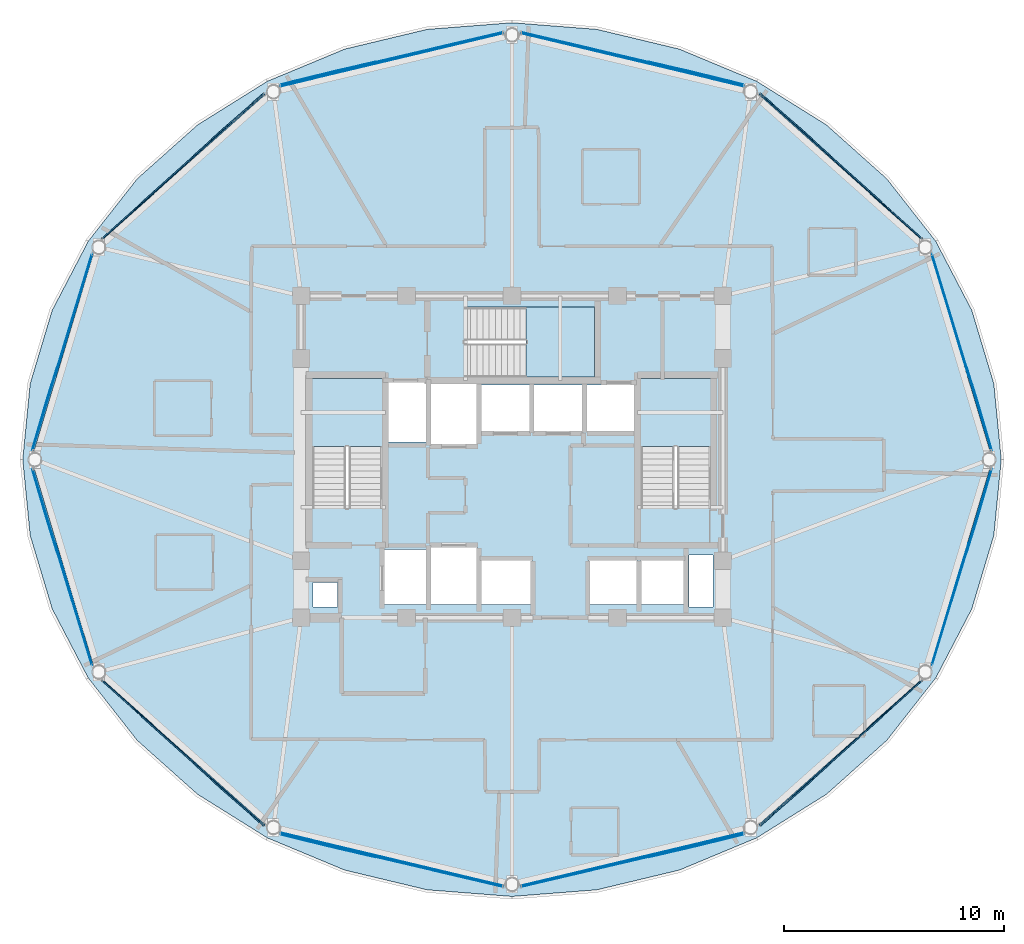
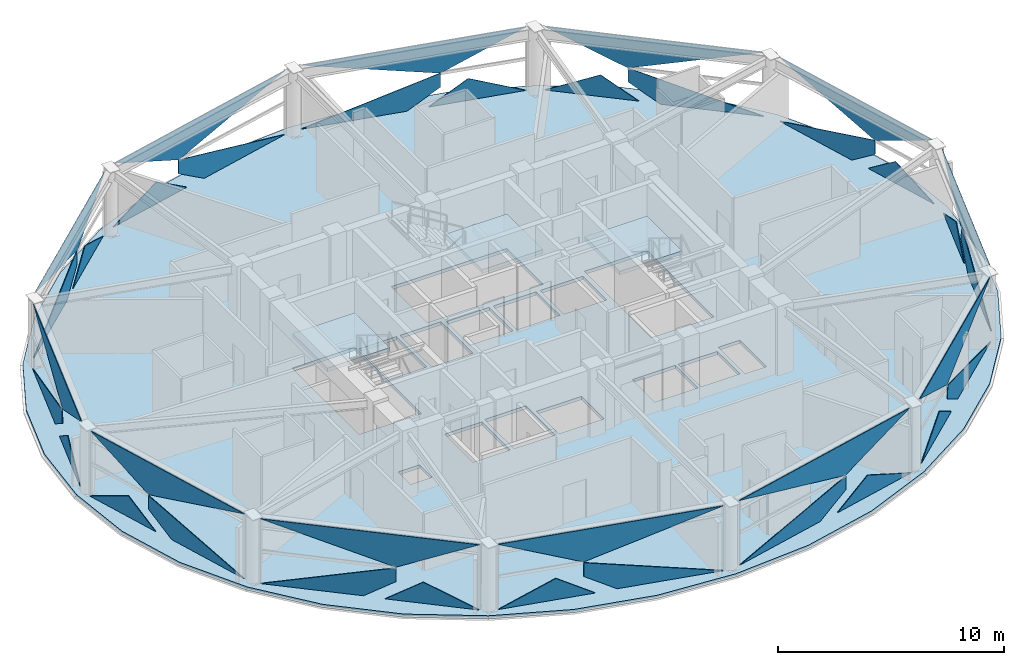
# One storey, part 20 of 28: 36 plates, 4 slabs, 15 elements without a shape of their own.
"""IFC4 building model written with IfcOpenShell, lengths in metres."""

import ifcopenshell
import ifcopenshell.guid

model = None  # the IFC model being written
_history = None  # IfcOwnerHistory: only IFC2X3 demands one
_inside = {}  # id of a spatial element -> (the spatial element, [elements in it])
_under = {}  # id of a project, library or spatial element -> (it, [spatial elements below it])
_declared = {}  # id of a project -> (the project, [libraries it declares])
_typed = {}  # id of a type object -> (the type object, [elements of that type])
_made_of = {}  # id of a material, layer set ... -> (it, [elements and type objects made of it])


def new_model(schema):
    """Start an empty IFC model of exactly this schema.

    Asked for "IFC4X3", IfcOpenShell would pick the latest addendum, in which some entities
    have other attributes; the version numbers below select the first issue.
    IFC2X3 requires an IfcOwnerHistory on every rooted entity: one is made here for all.
    """
    global model, _history
    if schema == "IFC4X3":
        model = ifcopenshell.file(schema_version=(4, 3, 0, 0))
    else:
        model = ifcopenshell.file(schema=schema)
    _inside.clear()
    _under.clear()
    _declared.clear()
    _typed.clear()
    _made_of.clear()
    _history = None
    if model.schema == "IFC2X3":
        org = make("IfcOrganization", Name="unknown")
        user = make(
            "IfcPersonAndOrganization",
            ThePerson=make("IfcPerson", FamilyName="unknown"),
            TheOrganization=org,
        )
        app = make(
            "IfcApplication",
            ApplicationDeveloper=org,
            Version="unknown",
            ApplicationFullName="unknown",
            ApplicationIdentifier="unknown",
        )
        _history = make(
            "IfcOwnerHistory",
            OwningUser=user,
            OwningApplication=app,
            ChangeAction="ADDED",
            CreationDate=0,
        )
    return model


def make(cls, **values):
    """One entity of the class cls with the attributes given. An attribute that is None is left unset."""
    return model.create_entity(
        cls, **{name: value for name, value in values.items() if value is not None}
    )


def rooted(cls, **values):
    """An entity with a GlobalId (a new one), such as an element, a storey or a relation."""
    return make(cls, GlobalId=ifcopenshell.guid.new(), OwnerHistory=_history, **values)


def si_unit(unit_type, name, prefix=None):
    """IfcSIUnit, for example si_unit("LENGTHUNIT", "METRE", prefix="MILLI")."""
    return make("IfcSIUnit", UnitType=unit_type, Prefix=prefix, Name=name)


def assignment(units):
    """IfcUnitAssignment: the units of a project."""
    return None if units is None else make("IfcUnitAssignment", Units=units)


def point(xyz):
    """IfcCartesianPoint."""
    return None if xyz is None else make("IfcCartesianPoint", Coordinates=xyz)


def direction(xyz):
    """IfcDirection."""
    return None if xyz is None else make("IfcDirection", DirectionRatios=xyz)


def frame(location, z_axis=None, x_axis=None):
    """IfcAxis2Placement3D, a coordinate frame: its origin and axes. An axis left out is left unset."""
    return make(
        "IfcAxis2Placement3D",
        Location=point(location),
        Axis=direction(z_axis),
        RefDirection=direction(x_axis),
    )


def origin():
    """The frame at (0, 0, 0) with its axes left unset."""
    return frame((0.0, 0.0, 0.0))


def place(relative_to, where):
    """IfcLocalPlacement: puts the frame where relative to a parent placement (None: the world)."""
    return make(
        "IfcLocalPlacement", PlacementRelTo=relative_to, RelativePlacement=where
    )


def context(
    kind, dimensions, precision=None, world=None, true_north=None, identifier=None
):
    """IfcGeometricRepresentationContext, for example the 3D "Model" context."""
    return make(
        "IfcGeometricRepresentationContext",
        ContextIdentifier=identifier,
        ContextType=kind,
        CoordinateSpaceDimension=dimensions,
        Precision=precision,
        WorldCoordinateSystem=world,
        TrueNorth=true_north,
    )


def subcontext(parent, identifier, kind, view, scale=None):
    """IfcGeometricRepresentationSubContext, for example "Body" below "Model"."""
    return make(
        "IfcGeometricRepresentationSubContext",
        ContextIdentifier=identifier,
        ContextType=kind,
        ParentContext=parent,
        TargetScale=scale,
        TargetView=view,
    )


def project(units=None, contexts=None):
    """IfcProject with its units and contexts."""
    return rooted(
        "IfcProject",
        Name="project",
        RepresentationContexts=contexts,
        UnitsInContext=assignment(units),
    )


def spatial(cls, under=None, at=None, **own):
    """A site, building, storey or space (cls), placed at a placement, below another one or the project."""
    s = rooted(cls, ObjectPlacement=at, **own)
    if under is not None:
        _under.setdefault(under.id(), (under, []))[1].append(s)
    return s


def polyline(points):
    """IfcPolyline through the points."""
    return make("IfcPolyline", Points=[point(p) for p in points])


def outline(outer, holes=None, kind="AREA"):
    """IfcArbitraryClosedProfileDef: a profile drawn as a closed curve; with holes, ...WithVoids."""
    if holes is None:
        return make("IfcArbitraryClosedProfileDef", ProfileType=kind, OuterCurve=outer)
    return make(
        "IfcArbitraryProfileDefWithVoids",
        ProfileType=kind,
        OuterCurve=outer,
        InnerCurves=holes,
    )


def extrude(swept, where, along, depth):
    """IfcExtrudedAreaSolid: the profile swept, set in the frame where, extruded along a direction by depth."""
    return make(
        "IfcExtrudedAreaSolid",
        SweptArea=swept,
        Position=where,
        ExtrudedDirection=direction(along),
        Depth=depth,
    )


def shape(context_of_items, identifier, shape_type, items):
    """IfcShapeRepresentation: the items that make up one representation, for example the "Body"."""
    return make(
        "IfcShapeRepresentation",
        ContextOfItems=context_of_items,
        RepresentationIdentifier=identifier,
        RepresentationType=shape_type,
        Items=items,
    )


def material(Name=None, Category=None):
    """IfcMaterial."""
    return make("IfcMaterial", Name=Name, Category=Category)


def layer(
    of_material, thickness, ventilated=None, Name=None, Category=None, Priority=None
):
    """IfcMaterialLayer: one layer of a wall or slab, of a material (None: an air gap)."""
    return make(
        "IfcMaterialLayer",
        Material=of_material,
        LayerThickness=thickness,
        IsVentilated=ventilated,
        Name=Name,
        Category=Category,
        Priority=Priority,
    )


def layer_set(layers, Name=None):
    """IfcMaterialLayerSet."""
    return make("IfcMaterialLayerSet", MaterialLayers=layers, LayerSetName=Name)


def made_of(thing, what):
    """Note that an element or type object is made of a material, layer set ...; save() writes the relation."""
    if what is not None:
        _made_of.setdefault(what.id(), (what, []))[1].append(thing)
    return thing


def type_object(cls, material=None, **own):
    """A type object (cls), such as IfcWallType, which elements share."""
    return made_of(rooted(cls, **own), material)


def element(
    cls,
    number,
    at=None,
    inside=None,
    cuts=None,
    type_object=None,
    material=None,
    context=None,
    identifier="Body",
    shape_type=None,
    held_by="IfcProductDefinitionShape",
    body=None,
    shapes=None,
    **own,
):
    """One element of the class cls, such as IfcWall. Its Tag is "e" and its number.

    at: its placement. inside: the storey or other place that contains it. cuts: it is an
    opening in that element (IfcRelVoidsElement). A single representation is given by context,
    identifier, shape_type and body (its items); several are given by shapes. held_by: the class
    of the entity that holds the representations. save() writes the other relations.
    """
    e = rooted(cls, Tag="e%d" % number, ObjectPlacement=at, **own)
    if body is not None:
        shapes = [shape(context, identifier, shape_type, body)]
    if shapes is not None:
        e.Representation = make(held_by, Representations=shapes)
    if inside is not None:
        _inside.setdefault(inside.id(), (inside, []))[1].append(e)
    if cuts is not None:
        rooted(
            "IfcRelVoidsElement", RelatingBuildingElement=cuts, RelatedOpeningElement=e
        )
    if type_object is not None:
        _typed.setdefault(type_object.id(), (type_object, []))[1].append(e)
    return made_of(e, material)


def aggregate(whole, parts):
    """IfcRelAggregates: a whole, such as a stair, and the parts it consists of."""
    return rooted("IfcRelAggregates", RelatingObject=whole, RelatedObjects=parts)


def save(model, path):
    """Write the relations noted so far, then the file.

    IfcRelAggregates (storeys below a building ...), IfcRelContainedInSpatialStructure (elements
    in a storey), IfcRelDefinesByType, IfcRelAssociatesMaterial and IfcRelDeclares: one each for
    every whole, place, type object, material and project.
    """
    for whole, parts in _under.values():
        aggregate(whole, parts)
    for where, things in _inside.values():
        rooted(
            "IfcRelContainedInSpatialStructure",
            RelatedElements=things,
            RelatingStructure=where,
        )
    for kind, things in _typed.values():
        rooted("IfcRelDefinesByType", RelatedObjects=things, RelatingType=kind)
    for what, things in _made_of.values():
        rooted("IfcRelAssociatesMaterial", RelatedObjects=things, RelatingMaterial=what)
    for by, libraries in _declared.values():
        rooted("IfcRelDeclares", RelatingContext=by, RelatedDefinitions=libraries)
    model.write(path)


model = new_model("IFC4")

# Units and contexts
model_context = context("Model", 3, precision=1e-05, world=origin(), true_north=direction((0.0, 1.0)))
body_context = subcontext(model_context, "Body", "Model", "MODEL_VIEW")
ifc_project = project(units=[si_unit("LENGTHUNIT", "METRE"), si_unit("AREAUNIT", "SQUARE_METRE"), si_unit("VOLUMEUNIT", "CUBIC_METRE"), si_unit("PLANEANGLEUNIT", "RADIAN"), si_unit("MASSUNIT", "GRAM", prefix="KILO")], contexts=[model_context])

# Site, building, storey
site_placement = place(None, origin())
site = spatial("IfcSite", under=ifc_project, at=site_placement, CompositionType="ELEMENT")
building_placement = place(site_placement, origin())
building = spatial("IfcBuilding", under=site, at=building_placement, Name="Vantalir Tower", CompositionType="ELEMENT")
storey_placement = place(building_placement, frame((0.0, 0.0, 238.64990234375)))
storey = spatial("IfcBuildingStorey", under=building, at=storey_placement, Name="L60", CompositionType="ELEMENT", Elevation=238.64990234375)

# Curtain wall, plates
ifc_material_1 = material(Name="Champagne-silver PVDF aluminium and double-silver Low-E glass", Category="aluminium")
ifc_layer_1 = layer(ifc_material_1, 0.2099609375)
ifc_layer_set_1 = layer_set([ifc_layer_1], Name="Champagne-silver PVDF aluminium and double-silver Low-E glass")
curtain_wall_type = type_object("IfcCurtainWallType", Name="CW-DIAMOND-Z3", PredefinedType="USERDEFINED", material=ifc_layer_set_1)
curtain_wall_1_placement = place(storey_placement, origin())
curtain_wall_1 = element("IfcCurtainWall", 1, at=curtain_wall_1_placement, inside=storey, type_object=curtain_wall_type, Name="L60 Quilted Pyramid-Diamond Curtain Wall S01", ObjectType="UNITISED CURTAIN WALL", PredefinedType="USERDEFINED")
ifc_material_2 = material(Name="Double-silver Low-E acoustic glass IGU", Category="glass")
ifc_layer_2 = layer(ifc_material_2, 0.031982421875)
ifc_layer_set_2 = layer_set([ifc_layer_2], Name="Double-silver Low-E acoustic glass IGU")
plate_type = type_object("IfcPlateType", Name="CWP-IGU-32", PredefinedType="CURTAIN_PANEL", material=ifc_layer_set_2)
plate_1_placement = place(storey_placement, frame((51.85888671875, 30.15185546875, 0.046875), z_axis=(-0.957564253305, -0.287893390999, 0.013714817232), x_axis=(-0.287920472391, 0.957654322591, -1.32748e-07)))
plate_1 = element("IfcPlate", 2, at=plate_1_placement, type_object=plate_type, Name="CW-L60-S01 Pyramid Diamond Facet 1L", PredefinedType="CURTAIN_PANEL", context=body_context, shape_type="SweptSolid", body=[
    extrude(outline(polyline([(0.0, 0.0), (4.387972325456004, 0.0), (-1.4026361731923158, -1.7257480622721664), (-1.4026299794626984, -0.9854434772600899), (0.0, 0.0)])), origin(), (0.0, 0.0, -1.0), 0.031982421875),
])
plate_2_placement = place(storey_placement, frame((53.320068359375, 25.417236328125, 0.046630859375), z_axis=(-0.957554655845, -0.287924893738, 0.013723579539), x_axis=(-0.287952812963, 0.957644596799, -6.1058697e-05)))
plate_2 = element("IfcPlate", 3, at=plate_2_placement, type_object=plate_type, Name="CW-L60-S01 Pyramid Diamond Facet 1L Infill Light", PredefinedType="CURTAIN_PANEL", context=body_context, shape_type="SweptSolid", body=[
    extrude(outline(polyline([(0.0, 0.0), (3.998457857223988, 2.439454888092385e-18), (2.363571917580491, -1.1482016668217891), (0.0, 0.0)])), origin(), (0.0, 0.0, -1.0), 0.031982421875),
])
plate_3_placement = place(storey_placement, frame((50.595458984375, 34.35400390625, 3.5234375), z_axis=(0.957557850322, 0.287917600327, 0.013653523683), x_axis=(0.287944782305, -0.95764701308, -2.6131662e-05)))
plate_3 = element("IfcPlate", 4, at=plate_3_placement, type_object=plate_type, Name="CW-L60-S01 Pyramid Diamond Facet 2U", PredefinedType="CURTAIN_PANEL", context=body_context, shape_type="SweptSolid", body=[
    extrude(outline(polyline([(0.0, 0.0), (9.342713298506363, 1.1438332919722072e-17), (5.790653966445077, 1.7258396311984687), (0.0, 0.0)])), origin(), (0.0, 0.0, -1.0), 0.031982421875),
])
aggregate(curtain_wall_1, [plate_1, plate_2, plate_3])

curtain_wall_2_placement = place(storey_placement, origin())
curtain_wall_2 = element("IfcCurtainWall", 5, at=curtain_wall_2_placement, inside=storey, type_object=curtain_wall_type, Name="L60 Quilted Pyramid-Diamond Curtain Wall S02", ObjectType="UNITISED CURTAIN WALL", PredefinedType="USERDEFINED")
plate_4_placement = place(storey_placement, frame((50.15576171875, 35.043701171875, 0.046630859375), z_axis=(-0.665242909697, -0.746499735346, 0.013784637326), x_axis=(-0.746570189062, 0.665306658675, 5.22146e-05)))
plate_4 = element("IfcPlate", 6, at=plate_4_placement, type_object=plate_type, Name="CW-L60-S02 Pyramid Diamond Facet 1L", PredefinedType="CURTAIN_PANEL", context=body_context, shape_type="SweptSolid", body=[
    extrude(outline(polyline([(0.0, 0.0), (4.655335335853241, 6.7220534694101275e-18), (6.126319533820701, -0.9804861672025519), (6.126290225300125, -1.7259172590888647), (0.0, 0.0)])), origin(), (0.0, 0.0, -1.0), 0.031982421875),
])
plate_5_placement = place(storey_placement, frame((45.964599609375, 38.826904296875, 0.04638671875), z_axis=(-0.665213523254, -0.746525065602, 0.013830940281), x_axis=(-0.74659647907, 0.665277158364, 0.0)))
plate_5 = element("IfcPlate", 7, at=plate_5_placement, type_object=plate_type, Name="CW-L60-S02 Pyramid Diamond Facet 1L Infill Light", PredefinedType="CURTAIN_PANEL", context=body_context, shape_type="SweptSolid", body=[
    extrude(outline(polyline([(0.0, 0.0), (4.245176186336982, -3.469446951953614e-18), (1.730006550528784, -1.1531864765015085), (0.0, 0.0)])), origin(), (0.0, 0.0, -1.0), 0.031982421875),
])
plate_6_placement = place(storey_placement, frame((42.771240234375, 41.624267578125, 3.523193359375), z_axis=(0.665234431269, 0.746507368961, 0.013780404246), x_axis=(0.74657803322, -0.665297857884, 2.4682713e-05)))
plate_6 = element("IfcPlate", 8, at=plate_6_placement, type_object=plate_type, Name="CW-L60-S02 Pyramid Diamond Facet 2U", PredefinedType="CURTAIN_PANEL", context=body_context, shape_type="SweptSolid", body=[
    extrude(outline(polyline([(0.0, 0.0), (9.89115826583857, -2.439454888092385e-19), (3.764915836127231, 1.72608690632679), (0.0, 0.0)])), origin(), (0.0, 0.0, -1.0), 0.031982421875),
])
aggregate(curtain_wall_2, [plate_4, plate_5, plate_6])

curtain_wall_3_placement = place(storey_placement, origin())
curtain_wall_3 = element("IfcCurtainWall", 9, at=curtain_wall_3_placement, inside=storey, type_object=curtain_wall_type, Name="L60 Quilted Pyramid-Diamond Curtain Wall S03", ObjectType="UNITISED CURTAIN WALL", PredefinedType="USERDEFINED")
plate_7_placement = place(storey_placement, frame((36.687744140625, 43.2841796875, 0.046875), z_axis=(-0.232239807303, -0.972563645548, 0.013587761476), x_axis=(-0.972653594211, 0.23226059332, -4.9598756e-05)))
plate_7 = element("IfcPlate", 10, at=plate_7_placement, type_object=plate_type, Name="CW-L60-S03 Pyramid Diamond Facet 1L", PredefinedType="CURTAIN_PANEL", context=body_context, shape_type="SweptSolid", body=[
    extrude(outline(polyline([(0.0, 0.0), (4.908659841011647, -1.5178830414797062e-18), (-1.5446899017236122, -1.72615696134767), (-1.5445465084576255, -0.981704152806294), (0.0, 0.0)])), origin(), (0.0, 0.0, -1.0), 0.031982421875),
])
plate_8_placement = place(storey_placement, frame((42.049072265625, 42.040771484375, 0.04638671875), z_axis=(-0.232239549099, -0.972561021856, 0.013778628414), x_axis=(-0.97265335565, 0.232261597648, 0.0)))
plate_8 = element("IfcPlate", 11, at=plate_8_placement, type_object=plate_type, Name="CW-L60-S03 Pyramid Diamond Facet 1L Infill Light", PredefinedType="CURTAIN_PANEL", context=body_context, shape_type="SweptSolid", body=[
    extrude(outline(polyline([(0.0, 0.0), (4.478928990674805, -1.734723475976807e-18), (2.656680448089627, -1.158313083436675), (0.0, 0.0)])), origin(), (0.0, 0.0, -1.0), 0.031982421875),
])
plate_9_placement = place(storey_placement, frame((31.913330078125, 44.42431640625, 3.523681640625), z_axis=(0.232272423601, 0.97255448723, 0.013685415685), x_axis=(0.972645723208, -0.232293553344, -4.6894833e-05)))
plate_9 = element("IfcPlate", 12, at=plate_9_placement, type_object=plate_type, Name="CW-L60-S03 Pyramid Diamond Facet 2U", PredefinedType="CURTAIN_PANEL", context=body_context, shape_type="SweptSolid", body=[
    extrude(outline(polyline([(0.0, 0.0), (10.412261283423264, 9.974659986866641e-18), (6.4533442789255595, 1.7261773887445437), (0.0, 0.0)])), origin(), (0.0, 0.0, -1.0), 0.031982421875),
])
aggregate(curtain_wall_3, [plate_7, plate_8, plate_9])

curtain_wall_4_placement = place(storey_placement, origin())
curtain_wall_4 = element("IfcCurtainWall", 13, at=curtain_wall_4_placement, inside=storey, type_object=curtain_wall_type, Name="L60 Quilted Pyramid-Diamond Curtain Wall S04", ObjectType="UNITISED CURTAIN WALL", PredefinedType="USERDEFINED")
plate_10_placement = place(storey_placement, frame((31.086669921875, 44.42431640625, 0.046630859375), z_axis=(0.232239807303, -0.972563645548, 0.013587761476), x_axis=(-0.972653594211, -0.23226059332, 4.9598756e-05)))
plate_10 = element("IfcPlate", 14, at=plate_10_placement, type_object=plate_type, Name="CW-L60-S04 Pyramid Diamond Facet 1L", PredefinedType="CURTAIN_PANEL", context=body_context, shape_type="SweptSolid", body=[
    extrude(outline(polyline([(0.0, 0.0), (4.908659841011647, 1.5178830414797062e-18), (6.453206349469272, -0.9817041528062939), (6.453349742735259, -1.7261569613476697), (0.0, 0.0)])), origin(), (0.0, 0.0, -1.0), 0.031982421875),
])
plate_11_placement = place(storey_placement, frame((25.307373046875, 43.0810546875, 0.04638671875), z_axis=(0.232239549099, -0.972561021856, 0.013778628414), x_axis=(-0.97265335565, -0.232261597648, 0.0)))
plate_11 = element("IfcPlate", 15, at=plate_11_placement, type_object=plate_type, Name="CW-L60-S04 Pyramid Diamond Facet 1L Infill Light", PredefinedType="CURTAIN_PANEL", context=body_context, shape_type="SweptSolid", body=[
    extrude(outline(polyline([(0.0, 0.0), (4.478928990674805, 1.734723475976807e-18), (1.8222485425851789, -1.158313083436675), (0.0, 0.0)])), origin(), (0.0, 0.0, -1.0), 0.031982421875),
])
plate_12_placement = place(storey_placement, frame((20.959228515625, 42.005615234375, 3.523193359375), z_axis=(-0.232272423601, 0.97255448723, 0.013685415685), x_axis=(0.972645723208, 0.232293553344, 4.6894833e-05)))
plate_12 = element("IfcPlate", 16, at=plate_12_placement, type_object=plate_type, Name="CW-L60-S04 Pyramid Diamond Facet 2U", PredefinedType="CURTAIN_PANEL", context=body_context, shape_type="SweptSolid", body=[
    extrude(outline(polyline([(0.0, 0.0), (10.412261283423264, -9.974659986866641e-18), (3.9589170044977036, 1.7261773887445437), (0.0, 0.0)])), origin(), (0.0, 0.0, -1.0), 0.031982421875),
])
aggregate(curtain_wall_4, [plate_10, plate_11, plate_12])

curtain_wall_5_placement = place(storey_placement, origin())
curtain_wall_5 = element("IfcCurtainWall", 17, at=curtain_wall_5_placement, inside=storey, type_object=curtain_wall_type, Name="L60 Quilted Pyramid-Diamond Curtain Wall S05", ObjectType="UNITISED CURTAIN WALL", PredefinedType="USERDEFINED")
plate_13_placement = place(storey_placement, frame((16.31982421875, 38.140869140625, 0.046875), z_axis=(0.665242909697, -0.746499735346, 0.013784637326), x_axis=(-0.746570189062, -0.665306658675, -5.22146e-05)))
plate_13 = element("IfcPlate", 18, at=plate_13_placement, type_object=plate_type, Name="CW-L60-S05 Pyramid Diamond Facet 1L", PredefinedType="CURTAIN_PANEL", context=body_context, shape_type="SweptSolid", body=[
    extrude(outline(polyline([(0.0, 0.0), (4.655335335853241, -6.7220534694101275e-18), (-1.470954889446884, -1.7259172590888647), (-1.4709841979674596, -0.9804861672025519), (0.0, 0.0)])), origin(), (0.0, 0.0, -1.0), 0.031982421875),
])
plate_14_placement = place(storey_placement, frame((20.204833984375, 41.651123046875, 0.04638671875), z_axis=(0.665213523254, -0.746525065602, 0.013830940281), x_axis=(-0.74659647907, -0.665277158364, 0.0)))
plate_14 = element("IfcPlate", 19, at=plate_14_placement, type_object=plate_type, Name="CW-L60-S05 Pyramid Diamond Facet 1L Infill Light", PredefinedType="CURTAIN_PANEL", context=body_context, shape_type="SweptSolid", body=[
    extrude(outline(polyline([(0.0, 0.0), (4.245176186336982, 3.469446951953614e-18), (2.5151696358081983, -1.1531864765015085), (0.0, 0.0)])), origin(), (0.0, 0.0, -1.0), 0.031982421875),
])
plate_15_placement = place(storey_placement, frame((12.84423828125, 35.043701171875, 3.5234375), z_axis=(-0.665234431269, 0.746507368961, 0.013780404246), x_axis=(0.74657803322, 0.665297857884, -2.4682713e-05)))
plate_15 = element("IfcPlate", 20, at=plate_15_placement, type_object=plate_type, Name="CW-L60-S05 Pyramid Diamond Facet 2U", PredefinedType="CURTAIN_PANEL", context=body_context, shape_type="SweptSolid", body=[
    extrude(outline(polyline([(0.0, 0.0), (9.89115826583857, 2.439454888092385e-19), (6.126242429711338, 1.7260869063267903), (0.0, 0.0)])), origin(), (0.0, 0.0, -1.0), 0.031982421875),
])
aggregate(curtain_wall_5, [plate_13, plate_14, plate_15])

curtain_wall_6_placement = place(storey_placement, origin())
curtain_wall_6 = element("IfcCurtainWall", 21, at=curtain_wall_6_placement, inside=storey, type_object=curtain_wall_type, Name="L60 Quilted Pyramid-Diamond Curtain Wall S06", ObjectType="UNITISED CURTAIN WALL", PredefinedType="USERDEFINED")
plate_16_placement = place(storey_placement, frame((12.404541015625, 34.35400390625, 0.046875), z_axis=(0.957564253305, -0.287893390999, 0.013714817232), x_axis=(-0.287920472391, -0.957654322591, 1.32748e-07)))
plate_16 = element("IfcPlate", 22, at=plate_16_placement, type_object=plate_type, Name="CW-L60-S06 Pyramid Diamond Facet 1L", PredefinedType="CURTAIN_PANEL", context=body_context, shape_type="SweptSolid", body=[
    extrude(outline(polyline([(0.0, 0.0), (4.387972325456004, 0.0), (5.7906023049187025, -0.9854434772600899), (5.790608498648321, -1.7257480622721664), (0.0, 0.0)])), origin(), (0.0, 0.0, -1.0), 0.031982421875),
])
plate_17_placement = place(storey_placement, frame((10.831298828125, 29.246337890625, 0.04638671875), z_axis=(0.957554655845, -0.287924893738, 0.013723579539), x_axis=(-0.287952812963, -0.957644596799, 6.1058697e-05)))
plate_17 = element("IfcPlate", 23, at=plate_17_placement, type_object=plate_type, Name="CW-L60-S06 Pyramid Diamond Facet 1L Infill Light", PredefinedType="CURTAIN_PANEL", context=body_context, shape_type="SweptSolid", body=[
    extrude(outline(polyline([(0.0, 0.0), (3.998457857223988, -2.439454888092385e-18), (1.6348859396434965, -1.1482016668217891), (0.0, 0.0)])), origin(), (0.0, 0.0, -1.0), 0.031982421875),
])
plate_18_placement = place(storey_placement, frame((9.71435546875, 25.406982421875, 3.523193359375), z_axis=(-0.957557850322, 0.287917600327, 0.013653523683), x_axis=(0.287944782305, 0.95764701308, 2.6131662e-05)))
plate_18 = element("IfcPlate", 24, at=plate_18_placement, type_object=plate_type, Name="CW-L60-S06 Pyramid Diamond Facet 2U", PredefinedType="CURTAIN_PANEL", context=body_context, shape_type="SweptSolid", body=[
    extrude(outline(polyline([(0.0, 0.0), (9.342713298506363, -1.1438332919722072e-17), (3.5520593320612868, 1.7258396311984685), (0.0, 0.0)])), origin(), (0.0, 0.0, -1.0), 0.031982421875),
])
aggregate(curtain_wall_6, [plate_16, plate_17, plate_18])

curtain_wall_7_placement = place(storey_placement, origin())
curtain_wall_7 = element("IfcCurtainWall", 25, at=curtain_wall_7_placement, inside=storey, type_object=curtain_wall_type, Name="L60 Quilted Pyramid-Diamond Curtain Wall S07", ObjectType="UNITISED CURTAIN WALL", PredefinedType="USERDEFINED")
plate_19_placement = place(storey_placement, frame((11.14111328125, 19.84765625, 0.046875), z_axis=(0.957572062731, 0.287866323099, 0.013737710943), x_axis=(0.287893491739, -0.957662433958, -7.9895e-08)))
plate_19 = element("IfcPlate", 26, at=plate_19_placement, type_object=plate_type, Name="CW-L60-S07 Pyramid Diamond Facet 1L", PredefinedType="CURTAIN_PANEL", context=body_context, shape_type="SweptSolid", body=[
    extrude(outline(polyline([(0.0, 0.0), (4.388439931128412, 6.938893903907228e-18), (-1.402635414612967, -1.7257486788223924), (-1.4026295472533665, -0.985444093029273), (0.0, 0.0)])), origin(), (0.0, 0.0, -1.0), 0.031982421875),
])
plate_20_placement = place(storey_placement, frame((9.679931640625, 24.582763671875, 0.046630859375), z_axis=(0.957564925032, 0.287891270817, 0.013712422697), x_axis=(0.287919142063, -0.95765472061, -6.1051557e-05)))
plate_20 = element("IfcPlate", 27, at=plate_20_placement, type_object=plate_type, Name="CW-L60-S07 Pyramid Diamond Facet 1L Infill Light", PredefinedType="CURTAIN_PANEL", context=body_context, shape_type="SweptSolid", body=[
    extrude(outline(polyline([(0.0, 0.0), (3.998925459596547, 4.607859233063394e-18), (2.363806280769045, -1.1482014884892122), (0.0, 0.0)])), origin(), (0.0, 0.0, -1.0), 0.031982421875),
])
plate_21_placement = place(storey_placement, frame((12.404541015625, 15.64501953125, 3.5234375), z_axis=(-0.957566259519, -0.287888705372, 0.013673037332), x_axis=(-0.287915961893, 0.957655678313, -2.6129046e-05)))
plate_21 = element("IfcPlate", 28, at=plate_21_placement, type_object=plate_type, Name="CW-L60-S07 Pyramid Diamond Facet 2U", PredefinedType="CURTAIN_PANEL", context=body_context, shape_type="SweptSolid", body=[
    extrude(outline(polyline([(0.0, 0.0), (9.343648504898855, -1.9244588561617704e-18), (5.791120855471177, 1.7258400943749712), (0.0, 0.0)])), origin(), (0.0, 0.0, -1.0), 0.031982421875),
])
aggregate(curtain_wall_7, [plate_19, plate_20, plate_21])

curtain_wall_8_placement = place(storey_placement, origin())
curtain_wall_8 = element("IfcCurtainWall", 29, at=curtain_wall_8_placement, inside=storey, type_object=curtain_wall_type, Name="L60 Quilted Pyramid-Diamond Curtain Wall S08", ObjectType="UNITISED CURTAIN WALL", PredefinedType="USERDEFINED")
plate_22_placement = place(storey_placement, frame((12.84423828125, 14.955322265625, 0.046630859375), z_axis=(0.665190927986, 0.74654496918, 0.013843349196), x_axis=(0.746616032027, -0.665255212687, 5.2087091e-05)))
plate_22 = element("IfcPlate", 30, at=plate_22_placement, type_object=plate_type, Name="CW-L60-S08 Pyramid Diamond Facet 1L", PredefinedType="CURTAIN_PANEL", context=body_context, shape_type="SweptSolid", body=[
    extrude(outline(polyline([(0.0, 0.0), (4.655010498472915, 8.944667923005412e-18), (6.125993631288223, -0.9804877607821147), (6.1259635249857, -1.7259188468179476), (0.0, 0.0)])), origin(), (0.0, 0.0, -1.0), 0.031982421875),
])
plate_23_placement = place(storey_placement, frame((17.03564453125, 11.172607421875, 0.04638671875), z_axis=(0.665177473858, 0.746556180888, 0.013885137737), x_axis=(0.746628158211, -0.665241605259, 0.0)))
plate_23 = element("IfcPlate", 31, at=plate_23_placement, type_object=plate_type, Name="CW-L60-S08 Pyramid Diamond Facet 1L Infill Light", PredefinedType="CURTAIN_PANEL", context=body_context, shape_type="SweptSolid", body=[
    extrude(outline(polyline([(0.0, 0.0), (4.244669074256064, 0.0), (1.7296610942905999, -1.1531873427924868), (0.0, 0.0)])), origin(), (0.0, 0.0, -1.0), 0.031982421875),
])
plate_24_placement = place(storey_placement, frame((20.228759765625, 8.375732421875, 3.523193359375), z_axis=(-0.66517893661, -0.746555885954, 0.013830814773), x_axis=(-0.746627073708, 0.66524282198, 2.4684335e-05)))
plate_24 = element("IfcPlate", 32, at=plate_24_placement, type_object=plate_type, Name="CW-L60-S08 Pyramid Diamond Facet 2U", PredefinedType="CURTAIN_PANEL", context=body_context, shape_type="SweptSolid", body=[
    extrude(outline(polyline([(0.0, 0.0), (9.890508587771347, 1.2197274440461925e-18), (3.764592750903992, 1.7260881059519486), (0.0, 0.0)])), origin(), (0.0, 0.0, -1.0), 0.031982421875),
])
aggregate(curtain_wall_8, [plate_22, plate_23, plate_24])

curtain_wall_9_placement = place(storey_placement, origin())
curtain_wall_9 = element("IfcCurtainWall", 33, at=curtain_wall_9_placement, inside=storey, type_object=curtain_wall_type, Name="L60 Quilted Pyramid-Diamond Curtain Wall S09", ObjectType="UNITISED CURTAIN WALL", PredefinedType="USERDEFINED")
plate_25_placement = place(storey_placement, frame((26.312255859375, 6.7158203125, 0.046875), z_axis=(0.232239807303, 0.972563645548, 0.013587761476), x_axis=(0.972653594211, -0.23226059332, -4.9598756e-05)))
plate_25 = element("IfcPlate", 34, at=plate_25_placement, type_object=plate_type, Name="CW-L60-S09 Pyramid Diamond Facet 1L", PredefinedType="CURTAIN_PANEL", context=body_context, shape_type="SweptSolid", body=[
    extrude(outline(polyline([(0.0, 0.0), (4.908659841011647, -1.5178830414797062e-18), (-1.5446899017236122, -1.72615696134767), (-1.5445465084576255, -0.981704152806294), (0.0, 0.0)])), origin(), (0.0, 0.0, -1.0), 0.031982421875),
])
plate_26_placement = place(storey_placement, frame((20.950927734375, 7.959228515625, 0.04638671875), z_axis=(0.232239549099, 0.972561021856, 0.013778628414), x_axis=(0.97265335565, -0.232261597648, 0.0)))
plate_26 = element("IfcPlate", 35, at=plate_26_placement, type_object=plate_type, Name="CW-L60-S09 Pyramid Diamond Facet 1L Infill Light", PredefinedType="CURTAIN_PANEL", context=body_context, shape_type="SweptSolid", body=[
    extrude(outline(polyline([(0.0, 0.0), (4.478928990674805, -1.734723475976807e-18), (2.656680448089627, -1.158313083436675), (0.0, 0.0)])), origin(), (0.0, 0.0, -1.0), 0.031982421875),
])
plate_27_placement = place(storey_placement, frame((31.086669921875, 5.57568359375, 3.523681640625), z_axis=(-0.232272423601, -0.97255448723, 0.013685415685), x_axis=(-0.972645723208, 0.232293553344, -4.6894833e-05)))
plate_27 = element("IfcPlate", 36, at=plate_27_placement, type_object=plate_type, Name="CW-L60-S09 Pyramid Diamond Facet 2U", PredefinedType="CURTAIN_PANEL", context=body_context, shape_type="SweptSolid", body=[
    extrude(outline(polyline([(0.0, 0.0), (10.412261283423264, 9.974659986866641e-18), (6.4533442789255595, 1.7261773887445437), (0.0, 0.0)])), origin(), (0.0, 0.0, -1.0), 0.031982421875),
])
aggregate(curtain_wall_9, [plate_25, plate_26, plate_27])

curtain_wall_10_placement = place(storey_placement, origin())
curtain_wall_10 = element("IfcCurtainWall", 37, at=curtain_wall_10_placement, inside=storey, type_object=curtain_wall_type, Name="L60 Quilted Pyramid-Diamond Curtain Wall S10", ObjectType="UNITISED CURTAIN WALL", PredefinedType="USERDEFINED")
plate_28_placement = place(storey_placement, frame((31.913330078125, 5.57568359375, 0.046630859375), z_axis=(-0.232239807303, 0.972563645548, 0.013587761476), x_axis=(0.972653594211, 0.23226059332, 4.9598756e-05)))
plate_28 = element("IfcPlate", 38, at=plate_28_placement, type_object=plate_type, Name="CW-L60-S10 Pyramid Diamond Facet 1L", PredefinedType="CURTAIN_PANEL", context=body_context, shape_type="SweptSolid", body=[
    extrude(outline(polyline([(0.0, 0.0), (4.908659841011647, 1.5178830414797062e-18), (6.453206349469272, -0.9817041528062939), (6.453349742735259, -1.7261569613476697), (0.0, 0.0)])), origin(), (0.0, 0.0, -1.0), 0.031982421875),
])
plate_29_placement = place(storey_placement, frame((37.692626953125, 6.9189453125, 0.04638671875), z_axis=(-0.232239549099, 0.972561021856, 0.013778628414), x_axis=(0.97265335565, 0.232261597648, 0.0)))
plate_29 = element("IfcPlate", 39, at=plate_29_placement, type_object=plate_type, Name="CW-L60-S10 Pyramid Diamond Facet 1L Infill Light", PredefinedType="CURTAIN_PANEL", context=body_context, shape_type="SweptSolid", body=[
    extrude(outline(polyline([(0.0, 0.0), (4.478928990674805, 1.734723475976807e-18), (1.8222485425851789, -1.158313083436675), (0.0, 0.0)])), origin(), (0.0, 0.0, -1.0), 0.031982421875),
])
plate_30_placement = place(storey_placement, frame((42.040771484375, 7.994384765625, 3.523193359375), z_axis=(0.232272423601, -0.97255448723, 0.013685415685), x_axis=(-0.972645723208, -0.232293553344, 4.6894833e-05)))
plate_30 = element("IfcPlate", 40, at=plate_30_placement, type_object=plate_type, Name="CW-L60-S10 Pyramid Diamond Facet 2U", PredefinedType="CURTAIN_PANEL", context=body_context, shape_type="SweptSolid", body=[
    extrude(outline(polyline([(0.0, 0.0), (10.412261283423264, -9.974659986866641e-18), (3.9589170044977036, 1.7261773887445437), (0.0, 0.0)])), origin(), (0.0, 0.0, -1.0), 0.031982421875),
])
aggregate(curtain_wall_10, [plate_28, plate_29, plate_30])

curtain_wall_11_placement = place(storey_placement, origin())
curtain_wall_11 = element("IfcCurtainWall", 41, at=curtain_wall_11_placement, inside=storey, type_object=curtain_wall_type, Name="L60 Quilted Pyramid-Diamond Curtain Wall S11", ObjectType="UNITISED CURTAIN WALL", PredefinedType="USERDEFINED")
plate_31_placement = place(storey_placement, frame((46.68017578125, 11.858642578125, 0.046875), z_axis=(-0.665190927986, 0.74654496918, 0.013843349196), x_axis=(0.746616032027, 0.665255212687, -5.2087091e-05)))
plate_31 = element("IfcPlate", 42, at=plate_31_placement, type_object=plate_type, Name="CW-L60-S11 Pyramid Diamond Facet 1L", PredefinedType="CURTAIN_PANEL", context=body_context, shape_type="SweptSolid", body=[
    extrude(outline(polyline([(0.0, 0.0), (4.655010498472915, -8.944667923005412e-18), (-1.470953026512785, -1.7259188468179478), (-1.4709831328153078, -0.9804877607821147), (0.0, 0.0)])), origin(), (0.0, 0.0, -1.0), 0.031982421875),
])
plate_32_placement = place(storey_placement, frame((42.795166015625, 8.348876953125, 0.04638671875), z_axis=(-0.665177473858, 0.746556180888, 0.013885137737), x_axis=(0.746628158211, 0.665241605259, 0.0)))
plate_32 = element("IfcPlate", 43, at=plate_32_placement, type_object=plate_type, Name="CW-L60-S11 Pyramid Diamond Facet 1L Infill Light", PredefinedType="CURTAIN_PANEL", context=body_context, shape_type="SweptSolid", body=[
    extrude(outline(polyline([(0.0, 0.0), (4.244669074256064, 0.0), (2.515007979965464, -1.1531873427924868), (0.0, 0.0)])), origin(), (0.0, 0.0, -1.0), 0.031982421875),
])
plate_33_placement = place(storey_placement, frame((50.15576171875, 14.955322265625, 3.5234375), z_axis=(0.66517893661, -0.746555885954, 0.013830814773), x_axis=(-0.746627073708, -0.66524282198, -2.4684335e-05)))
plate_33 = element("IfcPlate", 44, at=plate_33_placement, type_object=plate_type, Name="CW-L60-S11 Pyramid Diamond Facet 2U", PredefinedType="CURTAIN_PANEL", context=body_context, shape_type="SweptSolid", body=[
    extrude(outline(polyline([(0.0, 0.0), (9.890508587771347, -1.2197274440461925e-18), (6.125915836867356, 1.7260881059519486), (0.0, 0.0)])), origin(), (0.0, 0.0, -1.0), 0.031982421875),
])
aggregate(curtain_wall_11, [plate_31, plate_32, plate_33])

curtain_wall_12_placement = place(storey_placement, origin())
curtain_wall_12 = element("IfcCurtainWall", 45, at=curtain_wall_12_placement, inside=storey, type_object=curtain_wall_type, Name="L60 Quilted Pyramid-Diamond Curtain Wall S12", ObjectType="UNITISED CURTAIN WALL", PredefinedType="USERDEFINED")
plate_34_placement = place(storey_placement, frame((50.595458984375, 15.64501953125, 0.046875), z_axis=(-0.957572062731, 0.287866323099, 0.013737710943), x_axis=(0.287893491739, 0.957662433958, 7.9895e-08)))
plate_34 = element("IfcPlate", 46, at=plate_34_placement, type_object=plate_type, Name="CW-L60-S12 Pyramid Diamond Facet 1L", PredefinedType="CURTAIN_PANEL", context=body_context, shape_type="SweptSolid", body=[
    extrude(outline(polyline([(0.0, 0.0), (4.388439931128412, -6.938893903907228e-18), (5.791069478381778, -0.985444093029273), (5.791075345741379, -1.7257486788223926), (0.0, 0.0)])), origin(), (0.0, 0.0, -1.0), 0.031982421875),
])
plate_35_placement = place(storey_placement, frame((52.168701171875, 20.753173828125, 0.04638671875), z_axis=(-0.957564925032, 0.287891270817, 0.013712422697), x_axis=(0.287919142063, 0.95765472061, 6.1051557e-05)))
plate_35 = element("IfcPlate", 47, at=plate_35_placement, type_object=plate_type, Name="CW-L60-S12 Pyramid Diamond Facet 1L Infill Light", PredefinedType="CURTAIN_PANEL", context=body_context, shape_type="SweptSolid", body=[
    extrude(outline(polyline([(0.0, 0.0), (3.998925459596547, -4.607859233063394e-18), (1.6351191788275021, -1.1482014884892122), (0.0, 0.0)])), origin(), (0.0, 0.0, -1.0), 0.031982421875),
])
plate_36_placement = place(storey_placement, frame((53.28564453125, 24.593017578125, 3.523193359375), z_axis=(0.957566259519, -0.287888705372, 0.013673037332), x_axis=(-0.287915961893, -0.957655678313, 2.6129046e-05)))
plate_36 = element("IfcPlate", 48, at=plate_36_placement, type_object=plate_type, Name="CW-L60-S12 Pyramid Diamond Facet 2U", PredefinedType="CURTAIN_PANEL", context=body_context, shape_type="SweptSolid", body=[
    extrude(outline(polyline([(0.0, 0.0), (9.343648504898855, 1.9244588561617704e-18), (3.5525276494276783, 1.7258400943749712), (0.0, 0.0)])), origin(), (0.0, 0.0, -1.0), 0.031982421875),
])
aggregate(curtain_wall_12, [plate_34, plate_35, plate_36])

# Stair, slab
ifc_material_3 = material(Name="Concrete C40/50", Category="concrete")
stair_type = type_object("IfcStairType", Name="STR-CORE-1450", PredefinedType="HALF_TURN_STAIR", material=ifc_material_3)
stair_1_placement = place(storey_placement, origin())
stair_1 = element("IfcStair", 49, at=stair_1_placement, inside=storey, type_object=stair_type, Name="L60 Core Exit Stair 1", PredefinedType="HALF_TURN_STAIR")
ifc_layer_3 = layer(ifc_material_3, 0.199951171875)
ifc_layer_set_3 = layer_set([ifc_layer_3], Name="Concrete C40/50")
slab_type_1 = type_object("IfcSlabType", Name="SL-LAND-200", PredefinedType="LANDING", material=ifc_layer_set_3)
slab_1_placement = place(storey_placement, frame((0.0, 0.0, 1.675048828125)))
slab_1 = element("IfcSlab", 50, at=slab_1_placement, type_object=slab_type_1, Name="ST1 landing 1", PredefinedType="LANDING", context=body_context, shape_type="SweptSolid", body=[
    extrude(outline(polyline([(25.60009765625, 25.590087890625), (25.60009765625, 28.699951171875), (22.39990234375, 28.699951171875), (22.39990234375, 25.590087890625), (25.60009765625, 25.590087890625)])), origin(), (0.0, 0.0, 1.0), 0.199951171875),
])
aggregate(stair_1, [slab_1])

stair_2_placement = place(storey_placement, origin())
stair_2 = element("IfcStair", 51, at=stair_2_placement, inside=storey, type_object=stair_type, Name="L60 Core Exit Stair 2", PredefinedType="HALF_TURN_STAIR")
slab_2_placement = place(storey_placement, frame((0.0, 0.0, 1.675048828125)))
slab_2 = element("IfcSlab", 52, at=slab_2_placement, type_object=slab_type_1, Name="ST2 landing 1", PredefinedType="LANDING", context=body_context, shape_type="SweptSolid", body=[
    extrude(outline(polyline([(40.550048828125, 25.590087890625), (40.550048828125, 28.699951171875), (37.35009765625, 28.699951171875), (37.35009765625, 25.590087890625), (40.550048828125, 25.590087890625)])), origin(), (0.0, 0.0, 1.0), 0.199951171875),
])
aggregate(stair_2, [slab_2])

stair_3_placement = place(storey_placement, origin())
stair_3 = element("IfcStair", 53, at=stair_3_placement, inside=storey, type_object=stair_type, Name="L60 Core Exit Stair 3", PredefinedType="HALF_TURN_STAIR")
slab_3_placement = place(storey_placement, frame((0.0, 0.0, 1.675048828125)))
slab_3 = element("IfcSlab", 54, at=slab_3_placement, type_object=slab_type_1, Name="ST3 landing 1", PredefinedType="LANDING", context=body_context, shape_type="SweptSolid", body=[
    extrude(outline(polyline([(32.139892578125, 28.75), (35.25, 28.75), (35.25, 31.949951171875), (32.139892578125, 31.949951171875), (32.139892578125, 28.75)])), origin(), (0.0, 0.0, 1.0), 0.199951171875),
])
aggregate(stair_3, [slab_3])

# Slab
ifc_layer_4 = layer(ifc_material_3, 0.179931640625)
ifc_layer_set_4 = layer_set([ifc_layer_4], Name="Concrete C40/50")
slab_type_2 = type_object("IfcSlabType", Name="SL-TWR-180", PredefinedType="FLOOR", material=ifc_layer_set_4)
slab_4_placement = place(storey_placement, frame((0.0, 0.0, -0.179931640625)))
element("IfcSlab", 55, at=slab_4_placement, inside=storey, type_object=slab_type_2, Name="L60 Primary Structural Slab", PredefinedType="FLOOR", context=body_context, shape_type="SweptSolid", body=[
    extrude(outline(polyline([(14.44189453125, 12.218994140625), (17.18603515625, 9.76904296875), (20.365966796875, 7.781005859375), (23.884033203125, 6.31591796875), (27.633056640625, 5.4189453125), (31.5, 5.116943359375), (35.366943359375, 5.4189453125), (39.115966796875, 6.31591796875), (42.634033203125, 7.781005859375), (45.81396484375, 9.76904296875), (48.55810546875, 12.218994140625), (50.784912109375, 15.05810546875), (52.425048828125, 18.199951171875), (53.429931640625, 21.547119140625), (53.76806640625, 25.0), (53.429931640625, 28.452880859375), (52.425048828125, 31.800048828125), (50.784912109375, 34.94091796875), (48.55810546875, 37.781005859375), (45.81396484375, 40.23095703125), (42.634033203125, 42.218994140625), (39.115966796875, 43.68408203125), (35.366943359375, 44.5810546875), (31.5, 44.883056640625), (27.633056640625, 44.5810546875), (23.884033203125, 43.68408203125), (20.365966796875, 42.218994140625), (17.18603515625, 40.23095703125), (14.44189453125, 37.781005859375), (12.215087890625, 34.94091796875), (10.574951171875, 31.800048828125), (9.570068359375, 28.452880859375), (9.23193359375, 25.0), (9.570068359375, 21.547119140625), (10.574951171875, 18.199951171875), (12.215087890625, 15.05810546875), (14.44189453125, 12.218994140625)]), holes=[polyline([(22.39990234375, 28.699951171875), (25.60009765625, 28.699951171875), (25.60009765625, 22.7900390625), (22.39990234375, 22.7900390625), (22.39990234375, 28.699951171875)]), polyline([(40.550048828125, 28.699951171875), (40.550048828125, 22.7900390625), (37.35009765625, 22.7900390625), (37.35009765625, 28.699951171875), (40.550048828125, 28.699951171875)]), polyline([(29.340087890625, 28.75), (29.340087890625, 31.949951171875), (35.25, 31.949951171875), (35.25, 28.75), (29.340087890625, 28.75)]), polyline([(25.699951171875, 18.39990234375), (25.699951171875, 20.89990234375), (27.60009765625, 20.89990234375), (27.60009765625, 18.39990234375), (25.699951171875, 18.39990234375)]), polyline([(25.699951171875, 28.5), (27.60009765625, 28.5), (27.60009765625, 25.800048828125), (25.699951171875, 25.800048828125), (25.699951171875, 28.5)]), polyline([(29.89990234375, 21.0), (29.89990234375, 18.39990234375), (27.800048828125, 18.39990234375), (27.800048828125, 21.0), (29.89990234375, 21.0)]), polyline([(29.89990234375, 25.699951171875), (27.800048828125, 25.699951171875), (27.800048828125, 28.5), (29.89990234375, 28.5), (29.89990234375, 25.699951171875)]), polyline([(30.10009765625, 18.39990234375), (30.10009765625, 20.39990234375), (32.39990234375, 20.39990234375), (32.39990234375, 18.39990234375), (30.10009765625, 18.39990234375)]), polyline([(37.35009765625, 20.39990234375), (39.35009765625, 20.39990234375), (39.35009765625, 18.39990234375), (37.35009765625, 18.39990234375), (37.35009765625, 20.39990234375)]), polyline([(37.199951171875, 20.39990234375), (37.199951171875, 18.39990234375), (35.0, 18.39990234375), (35.0, 20.39990234375), (37.199951171875, 20.39990234375)]), polyline([(32.300048828125, 26.300048828125), (30.10009765625, 26.300048828125), (30.10009765625, 28.39990234375), (32.300048828125, 28.39990234375), (32.300048828125, 26.300048828125)]), polyline([(32.5, 26.300048828125), (32.5, 28.39990234375), (34.699951171875, 28.39990234375), (34.699951171875, 26.300048828125), (32.5, 26.300048828125)]), polyline([(34.89990234375, 28.39990234375), (37.10009765625, 28.39990234375), (37.10009765625, 26.300048828125), (34.89990234375, 26.300048828125), (34.89990234375, 28.39990234375)]), polyline([(23.550048828125, 19.39990234375), (23.550048828125, 18.300048828125), (22.449951171875, 18.300048828125), (22.449951171875, 19.39990234375), (23.550048828125, 19.39990234375)]), polyline([(40.64990234375, 18.300048828125), (39.550048828125, 18.300048828125), (39.550048828125, 20.64990234375), (40.64990234375, 20.64990234375), (40.64990234375, 18.300048828125)])]), origin(), (0.0, 0.0, 1.0), 0.179931640625),
])

save(model, "model.ifc")
